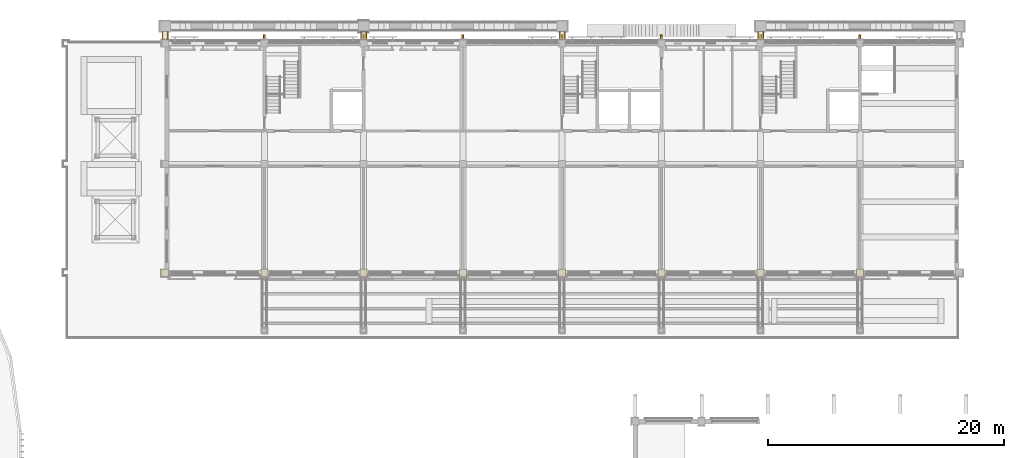
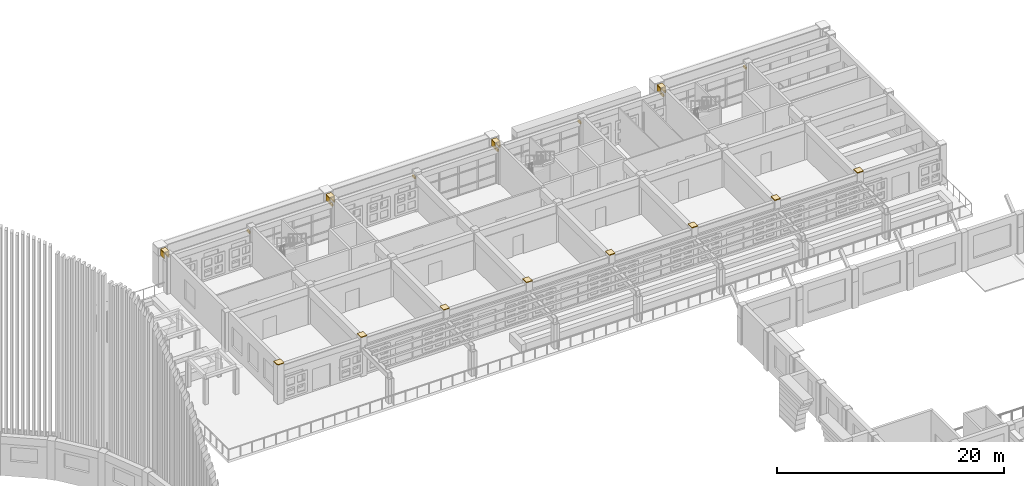
# One storey, part 67 of 68: 20 coverings, 7 shading devices.
"""IFC4 building model written with IfcOpenShell, lengths in metres."""

from ifc_helpers import new_model, si_unit, direction, frame, origin, origin_2d, place, context, subcontext, project, spatial, polyline, rectangle, outline, extrude, material, layer, layer_set, type_object, element, save


model = new_model("IFC4")

# Units and contexts
model_context = context("Model", 3, precision=1e-05, world=origin(), true_north=direction((0.0, 1.0)))
body_context = subcontext(model_context, "Body", "Model", "MODEL_VIEW")
ifc_project = project(units=[si_unit("LENGTHUNIT", "METRE"), si_unit("AREAUNIT", "SQUARE_METRE"), si_unit("VOLUMEUNIT", "CUBIC_METRE"), si_unit("PLANEANGLEUNIT", "RADIAN"), si_unit("MASSUNIT", "GRAM", prefix="KILO")], contexts=[model_context])

# Site, building, storey
site_placement = place(None, origin())
site = spatial("IfcSite", under=ifc_project, at=site_placement, CompositionType="ELEMENT")
building_placement = place(site_placement, origin())
building = spatial("IfcBuilding", under=site, at=building_placement, Name="Wasatch Bagh Community Centre", CompositionType="ELEMENT")
storey_placement = place(building_placement, frame((0.0, 0.0, 8.39990234375)))
storey = spatial("IfcBuildingStorey", under=building, at=storey_placement, Name="L02", CompositionType="ELEMENT", Elevation=8.39990234375)

# Coverings
ifc_material_1 = material(Name="Cast stone cladding", Category="masonry")
ifc_layer_1 = layer(ifc_material_1, 0.080078125)
ifc_layer_set_1 = layer_set([ifc_layer_1], Name="Cast stone cladding")
covering_type_1 = type_object("IfcCoveringType", Name="CL-B7 beam facing", PredefinedType="CLADDING", material=ifc_layer_set_1)
covering_1_placement = place(storey_placement, frame((0.0, 0.0, 3.400146484375)))
element("IfcCovering", 1, at=covering_1_placement, inside=storey, type_object=covering_type_1, Name="Beam facing", PredefinedType="CLADDING", context=body_context, shape_type="SweptSolid", body=[
    extrude(outline(polyline([(72.22509765625, 98.14990234375), (72.22509765625, 98.800048828125), (72.14501953125, 98.800048828125), (72.14501953125, 98.14990234375), (72.22509765625, 98.14990234375)])), origin(), (0.0, 0.0, 1.0), 0.599853515625),
])
covering_2_placement = place(storey_placement, frame((0.0, 0.0, 3.400146484375)))
element("IfcCovering", 2, at=covering_2_placement, inside=storey, type_object=covering_type_1, Name="Beam facing", PredefinedType="CLADDING", context=body_context, shape_type="SweptSolid", body=[
    extrude(outline(polyline([(72.574951171875, 98.14990234375), (72.574951171875, 98.800048828125), (72.655029296875, 98.800048828125), (72.655029296875, 98.14990234375), (72.574951171875, 98.14990234375)])), origin(), (0.0, 0.0, 1.0), 0.599853515625),
])
covering_3_placement = place(storey_placement, frame((0.0, 0.0, 4.0)))
element("IfcCovering", 3, at=covering_3_placement, inside=storey, type_object=covering_type_1, Name="Beam facing", PredefinedType="CLADDING", context=body_context, shape_type="SweptSolid", body=[
    extrude(outline(polyline([(72.655029296875, 98.14990234375), (72.655029296875, 98.800048828125), (72.14501953125, 98.800048828125), (72.14501953125, 98.14990234375), (72.655029296875, 98.14990234375)])), origin(), (0.0, 0.0, 1.0), 0.080078125),
])
covering_4_placement = place(storey_placement, frame((0.0, 0.0, 3.400146484375)))
element("IfcCovering", 4, at=covering_4_placement, inside=storey, type_object=covering_type_1, Name="Beam facing", PredefinedType="CLADDING", context=body_context, shape_type="SweptSolid", body=[
    extrude(outline(polyline([(89.02490234375, 98.14990234375), (89.02490234375, 98.800048828125), (88.945068359375, 98.800048828125), (88.945068359375, 98.14990234375), (89.02490234375, 98.14990234375)])), origin(), (0.0, 0.0, 1.0), 0.599853515625),
])
covering_5_placement = place(storey_placement, frame((0.0, 0.0, 3.400146484375)))
element("IfcCovering", 5, at=covering_5_placement, inside=storey, type_object=covering_type_1, Name="Beam facing", PredefinedType="CLADDING", context=body_context, shape_type="SweptSolid", body=[
    extrude(outline(polyline([(89.375, 98.14990234375), (89.375, 98.800048828125), (89.455078125, 98.800048828125), (89.455078125, 98.14990234375), (89.375, 98.14990234375)])), origin(), (0.0, 0.0, 1.0), 0.599853515625),
])
covering_6_placement = place(storey_placement, frame((0.0, 0.0, 4.0)))
element("IfcCovering", 6, at=covering_6_placement, inside=storey, type_object=covering_type_1, Name="Beam facing", PredefinedType="CLADDING", context=body_context, shape_type="SweptSolid", body=[
    extrude(outline(polyline([(89.455078125, 98.14990234375), (89.455078125, 98.800048828125), (88.945068359375, 98.800048828125), (88.945068359375, 98.14990234375), (89.455078125, 98.14990234375)])), origin(), (0.0, 0.0, 1.0), 0.080078125),
])
covering_7_placement = place(storey_placement, frame((0.0, 0.0, 3.400146484375)))
element("IfcCovering", 7, at=covering_7_placement, inside=storey, type_object=covering_type_1, Name="Beam facing", PredefinedType="CLADDING", context=body_context, shape_type="SweptSolid", body=[
    extrude(outline(polyline([(105.824951171875, 98.14990234375), (105.824951171875, 98.800048828125), (105.7451171875, 98.800048828125), (105.7451171875, 98.14990234375), (105.824951171875, 98.14990234375)])), origin(), (0.0, 0.0, 1.0), 0.599853515625),
])
covering_8_placement = place(storey_placement, frame((0.0, 0.0, 3.400146484375)))
element("IfcCovering", 8, at=covering_8_placement, inside=storey, type_object=covering_type_1, Name="Beam facing", PredefinedType="CLADDING", context=body_context, shape_type="SweptSolid", body=[
    extrude(outline(polyline([(106.175048828125, 98.14990234375), (106.175048828125, 98.800048828125), (106.2548828125, 98.800048828125), (106.2548828125, 98.14990234375), (106.175048828125, 98.14990234375)])), origin(), (0.0, 0.0, 1.0), 0.599853515625),
])
covering_9_placement = place(storey_placement, frame((0.0, 0.0, 4.0)))
element("IfcCovering", 9, at=covering_9_placement, inside=storey, type_object=covering_type_1, Name="Beam facing", PredefinedType="CLADDING", context=body_context, shape_type="SweptSolid", body=[
    extrude(outline(polyline([(106.2548828125, 98.14990234375), (106.2548828125, 98.800048828125), (105.7451171875, 98.800048828125), (105.7451171875, 98.14990234375), (106.2548828125, 98.14990234375)])), origin(), (0.0, 0.0, 1.0), 0.080078125),
])
covering_10_placement = place(storey_placement, frame((0.0, 0.0, 3.400146484375)))
element("IfcCovering", 10, at=covering_10_placement, inside=storey, type_object=covering_type_1, Name="Beam facing", PredefinedType="CLADDING", context=body_context, shape_type="SweptSolid", body=[
    extrude(outline(polyline([(122.625, 98.14990234375), (122.625, 98.800048828125), (122.544921875, 98.800048828125), (122.544921875, 98.14990234375), (122.625, 98.14990234375)])), origin(), (0.0, 0.0, 1.0), 0.599853515625),
])
covering_11_placement = place(storey_placement, frame((0.0, 0.0, 3.400146484375)))
element("IfcCovering", 11, at=covering_11_placement, inside=storey, type_object=covering_type_1, Name="Beam facing", PredefinedType="CLADDING", context=body_context, shape_type="SweptSolid", body=[
    extrude(outline(polyline([(122.97509765625, 98.14990234375), (122.97509765625, 98.800048828125), (123.054931640625, 98.800048828125), (123.054931640625, 98.14990234375), (122.97509765625, 98.14990234375)])), origin(), (0.0, 0.0, 1.0), 0.599853515625),
])
covering_12_placement = place(storey_placement, frame((0.0, 0.0, 4.0)))
element("IfcCovering", 12, at=covering_12_placement, inside=storey, type_object=covering_type_1, Name="Beam facing", PredefinedType="CLADDING", context=body_context, shape_type="SweptSolid", body=[
    extrude(outline(polyline([(123.054931640625, 98.14990234375), (123.054931640625, 98.800048828125), (122.544921875, 98.800048828125), (122.544921875, 98.14990234375), (123.054931640625, 98.14990234375)])), origin(), (0.0, 0.0, 1.0), 0.080078125),
])
ifc_layer_2 = layer(ifc_material_1, 0.080078125)
ifc_layer_set_2 = layer_set([ifc_layer_2], Name="Cast stone cladding")
covering_type_2 = type_object("IfcCoveringType", Name="CL-C1 column facing", PredefinedType="CLADDING", material=ifc_layer_set_2)
covering_13_placement = place(storey_placement, frame((0.0, 0.0, 4.2001953125)))
element("IfcCovering", 13, at=covering_13_placement, inside=storey, type_object=covering_type_2, Name="Column facing", PredefinedType="CLADDING", context=body_context, shape_type="SweptSolid", body=[
    extrude(outline(polyline([(72.699951171875, 78.02001953125), (72.10009765625, 78.02001953125), (72.10009765625, 78.10009765625), (72.02001953125, 78.10009765625), (72.02001953125, 78.699951171875), (72.699951171875, 78.699951171875), (72.699951171875, 78.02001953125)])), origin(), (0.0, 0.0, 1.0), 0.079833984375),
])
covering_14_placement = place(storey_placement, frame((0.0, 0.0, 4.2001953125)))
element("IfcCovering", 14, at=covering_14_placement, inside=storey, type_object=covering_type_2, Name="Column facing", PredefinedType="CLADDING", context=body_context, shape_type="SweptSolid", body=[
    extrude(outline(polyline([(81.10009765625, 78.02001953125), (80.5, 78.02001953125), (80.5, 78.699951171875), (81.10009765625, 78.699951171875), (81.10009765625, 78.02001953125)])), origin(), (0.0, 0.0, 1.0), 0.079833984375),
])
covering_15_placement = place(storey_placement, frame((0.0, 0.0, 4.2001953125)))
element("IfcCovering", 15, at=covering_15_placement, inside=storey, type_object=covering_type_2, Name="Column facing", PredefinedType="CLADDING", context=body_context, shape_type="SweptSolid", body=[
    extrude(outline(polyline([(89.5, 78.02001953125), (88.89990234375, 78.02001953125), (88.89990234375, 78.699951171875), (89.5, 78.699951171875), (89.5, 78.02001953125)])), origin(), (0.0, 0.0, 1.0), 0.079833984375),
])
covering_16_placement = place(storey_placement, frame((0.0, 0.0, 4.2001953125)))
element("IfcCovering", 16, at=covering_16_placement, inside=storey, type_object=covering_type_2, Name="Column facing", PredefinedType="CLADDING", context=body_context, shape_type="SweptSolid", body=[
    extrude(outline(polyline([(97.89990234375, 78.02001953125), (97.300048828125, 78.02001953125), (97.300048828125, 78.699951171875), (97.89990234375, 78.699951171875), (97.89990234375, 78.02001953125)])), origin(), (0.0, 0.0, 1.0), 0.079833984375),
])
covering_17_placement = place(storey_placement, frame((0.0, 0.0, 4.2001953125)))
element("IfcCovering", 17, at=covering_17_placement, inside=storey, type_object=covering_type_2, Name="Column facing", PredefinedType="CLADDING", context=body_context, shape_type="SweptSolid", body=[
    extrude(outline(polyline([(106.300048828125, 78.02001953125), (105.699951171875, 78.02001953125), (105.699951171875, 78.699951171875), (106.300048828125, 78.699951171875), (106.300048828125, 78.02001953125)])), origin(), (0.0, 0.0, 1.0), 0.079833984375),
])
covering_18_placement = place(storey_placement, frame((0.0, 0.0, 4.2001953125)))
element("IfcCovering", 18, at=covering_18_placement, inside=storey, type_object=covering_type_2, Name="Column facing", PredefinedType="CLADDING", context=body_context, shape_type="SweptSolid", body=[
    extrude(outline(polyline([(114.699951171875, 78.02001953125), (114.10009765625, 78.02001953125), (114.10009765625, 78.699951171875), (114.699951171875, 78.699951171875), (114.699951171875, 78.02001953125)])), origin(), (0.0, 0.0, 1.0), 0.079833984375),
])
covering_19_placement = place(storey_placement, frame((0.0, 0.0, 4.2001953125)))
element("IfcCovering", 19, at=covering_19_placement, inside=storey, type_object=covering_type_2, Name="Column facing", PredefinedType="CLADDING", context=body_context, shape_type="SweptSolid", body=[
    extrude(outline(polyline([(123.10009765625, 78.02001953125), (122.5, 78.02001953125), (122.5, 78.699951171875), (123.10009765625, 78.699951171875), (123.10009765625, 78.02001953125)])), origin(), (0.0, 0.0, 1.0), 0.079833984375),
])
covering_20_placement = place(storey_placement, frame((0.0, 0.0, 4.2001953125)))
element("IfcCovering", 20, at=covering_20_placement, inside=storey, type_object=covering_type_2, Name="Column facing", PredefinedType="CLADDING", context=body_context, shape_type="SweptSolid", body=[
    extrude(outline(polyline([(131.5, 78.02001953125), (130.89990234375, 78.02001953125), (130.89990234375, 78.699951171875), (131.5, 78.699951171875), (131.5, 78.02001953125)])), origin(), (0.0, 0.0, 1.0), 0.079833984375),
])

# Shading devices
ifc_material_2 = material(Name="Powder-coated aluminium", Category="aluminium")
shading_device_type = type_object("IfcShadingDeviceType", Name="LW north fin 150x450", PredefinedType="USERDEFINED", material=ifc_material_2)
for number, where, z_axis, x_axis, name in (
    (21, (80.800048828125, 98.324951171875, 3.10009765625), (0.0, 0.0, 1.0), (1.0, 0.0, 0.0), "Facade fin"),
    (22, (89.199951171875, 98.324951171875, 3.10009765625), (0.0, 0.0, 1.0), (1.0, 0.0, 0.0), "Facade fin"),
    (23, (97.60009765625, 98.324951171875, 3.10009765625), (0.0, 0.0, 1.0), (1.0, 0.0, 0.0), "Facade fin"),
    (24, (106.0, 98.324951171875, 3.10009765625), (0.0, 0.0, 1.0), (1.0, 0.0, 0.0), "Facade fin"),
    (25, (114.39990234375, 98.324951171875, 3.10009765625), (0.0, 0.0, 1.0), (1.0, 0.0, 0.0), "Facade fin"),
    (26, (122.800048828125, 98.324951171875, 3.10009765625), (0.0, 0.0, 1.0), (1.0, 0.0, 0.0), "Facade fin"),
    (27, (131.199951171875, 98.324951171875, 3.10009765625), (0.0, 0.0, 1.0), (1.0, 0.0, 0.0), "Facade fin"),
):
    element("IfcShadingDevice", number, at=place(storey_placement, frame(where, z_axis=z_axis, x_axis=x_axis)), inside=storey, type_object=shading_device_type, Name=name, ObjectType="Facade fin", PredefinedType="USERDEFINED", context=body_context, shape_type="SweptSolid", body=[
        extrude(rectangle(XDim=0.14990234375, YDim=0.449951171875, at=origin_2d()), origin(), (0.0, 0.0, 1.0), 0.219970703125),
    ])

save(model, "model.ifc")
